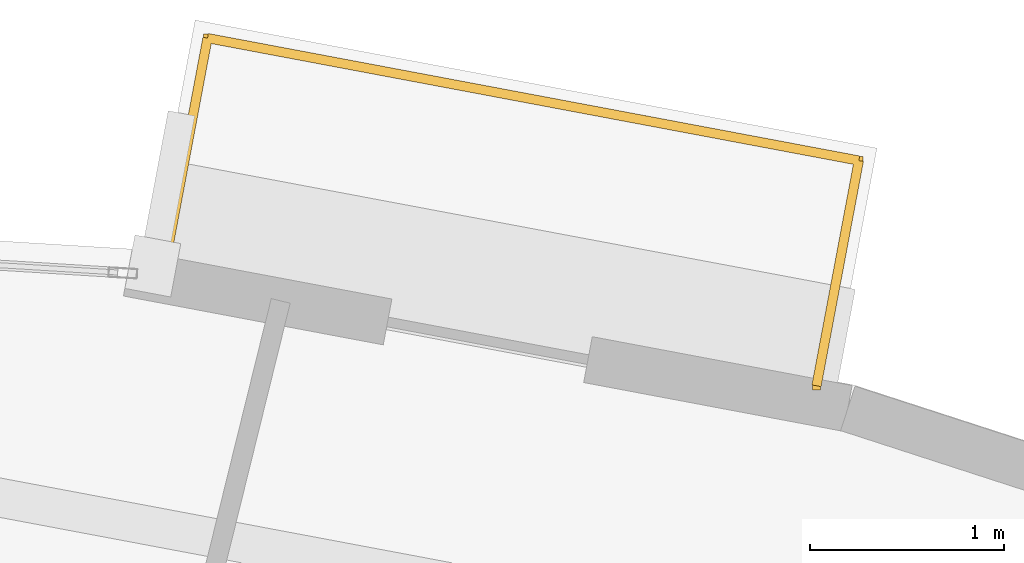
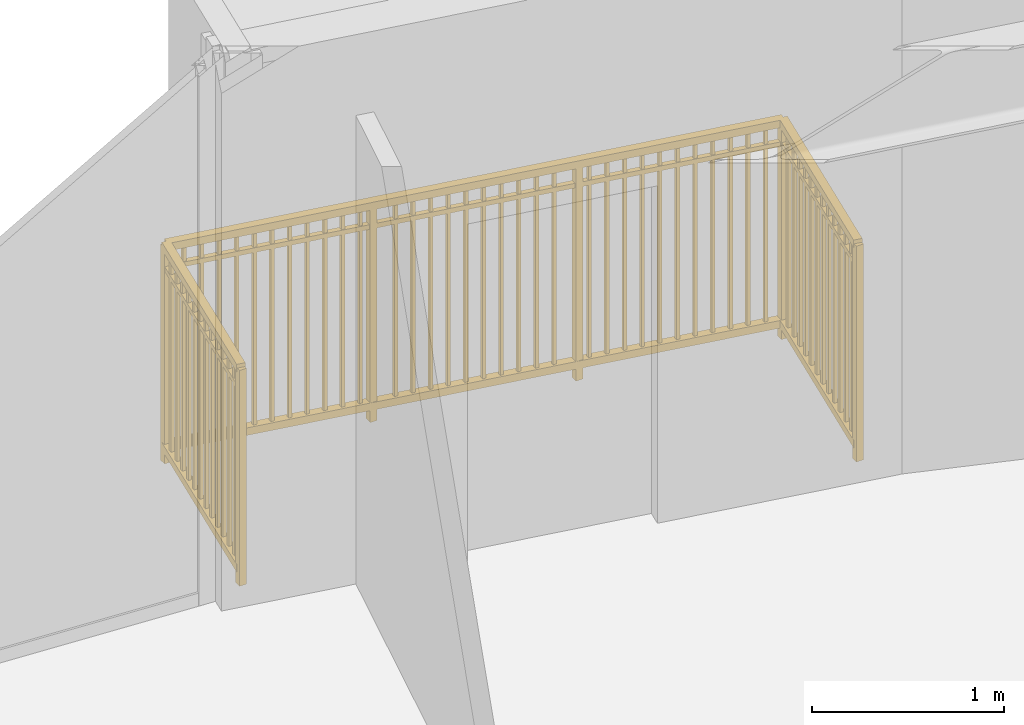
# One storey, part 18 of 18: 1 railing.
"""IFC4 building model written with IfcOpenShell, lengths in metres."""

from ifc_helpers import new_model, si_unit, direction, frame, origin, origin_2d, place, context, subcontext, project, spatial, rectangle, extrude, source, transform, mapped, material, type_object, element, save


model = new_model("IFC4")

# Units and contexts
model_context = context("Model", 3, precision=1e-05, world=origin(), true_north=direction((0.0, 1.0)))
body_context = subcontext(model_context, "Body", "Model", "MODEL_VIEW")
ifc_project = project(units=[si_unit("LENGTHUNIT", "METRE"), si_unit("AREAUNIT", "SQUARE_METRE"), si_unit("VOLUMEUNIT", "CUBIC_METRE"), si_unit("PLANEANGLEUNIT", "RADIAN"), si_unit("MASSUNIT", "GRAM", prefix="KILO")], contexts=[model_context])

# Site, building, storey
site_placement = place(None, origin())
site = spatial("IfcSite", under=ifc_project, at=site_placement, CompositionType="ELEMENT")
building_placement = place(site_placement, origin())
building = spatial("IfcBuilding", under=site, at=building_placement, Name="Linh Dai School and Residence Tower", CompositionType="ELEMENT")
storey_placement = place(building_placement, frame((0.0, 0.0, 240.300048828125)))
storey = spatial("IfcBuildingStorey", under=building, at=storey_placement, Name="L59", CompositionType="ELEMENT", Elevation=240.300048828125)

# Railing
ifc_material = material(Name="Structural Steel S355JR", Category="steel")
railing_type = type_object("IfcRailingType", Name="RL-BAL-1400", PredefinedType="BALUSTRADE", material=ifc_material)
shared_shape = source(origin(), body_context, "Body", "SweptSolid", [
    extrude(rectangle(XDim=0.048095703125, YDim=0.048095703125, at=origin_2d()), frame((0.0, 0.0, 1.3759765625), z_axis=(0.184725654166, 0.982790126473, 0.0), x_axis=(-0.982790126473, 0.184725654166, 0.0)), (0.0, 0.0, 1.0), 1.18017578125),
    extrude(rectangle(XDim=0.048095703125, YDim=0.048095703125, at=origin_2d()), frame((0.0, 0.0, 0.10009765625), z_axis=(0.184725654166, 0.982790126473, 0.0), x_axis=(-0.982790126473, 0.184725654166, 0.0)), (0.0, 0.0, 1.0), 1.18017578125),
    extrude(rectangle(XDim=0.030029296875, YDim=0.030029296875, at=origin_2d()), frame((0.0, 0.0, 1.239990234375), z_axis=(0.184725654166, 0.982790126473, 0.0), x_axis=(-0.982790126473, 0.184725654166, 0.0)), (0.0, 0.0, 1.0), 1.18017578125),
    extrude(rectangle(XDim=0.02001953125, YDim=0.02001953125, at=origin_2d()), frame((0.016845703125, 0.089111328125, 0.10009765625)), (0.0, 0.0, 1.0), 1.251708984375),
    extrude(rectangle(XDim=0.02001953125, YDim=0.02001953125, at=origin_2d()), frame((0.033447265625, 0.178466796875, 0.10009765625)), (0.0, 0.0, 1.0), 1.251708984375),
    extrude(rectangle(XDim=0.02001953125, YDim=0.02001953125, at=origin_2d()), frame((0.05029296875, 0.267578125, 0.10009765625)), (0.0, 0.0, 1.0), 1.251708984375),
    extrude(rectangle(XDim=0.02001953125, YDim=0.02001953125, at=origin_2d()), frame((0.067138671875, 0.35693359375, 0.10009765625)), (0.0, 0.0, 1.0), 1.251708984375),
    extrude(rectangle(XDim=0.02001953125, YDim=0.02001953125, at=origin_2d()), frame((0.083740234375, 0.446044921875, 0.10009765625)), (0.0, 0.0, 1.0), 1.251708984375),
    extrude(rectangle(XDim=0.02001953125, YDim=0.02001953125, at=origin_2d()), frame((0.1005859375, 0.535400390625, 0.10009765625)), (0.0, 0.0, 1.0), 1.251708984375),
    extrude(rectangle(XDim=0.02001953125, YDim=0.02001953125, at=origin_2d()), frame((0.117431640625, 0.62451171875, 0.10009765625)), (0.0, 0.0, 1.0), 1.251708984375),
    extrude(rectangle(XDim=0.02001953125, YDim=0.02001953125, at=origin_2d()), frame((0.13427734375, 0.7138671875, 0.10009765625)), (0.0, 0.0, 1.0), 1.251708984375),
    extrude(rectangle(XDim=0.02001953125, YDim=0.02001953125, at=origin_2d()), frame((0.15087890625, 0.802978515625, 0.10009765625)), (0.0, 0.0, 1.0), 1.251708984375),
    extrude(rectangle(XDim=0.02001953125, YDim=0.02001953125, at=origin_2d()), frame((0.167724609375, 0.892333984375, 0.10009765625)), (0.0, 0.0, 1.0), 1.251708984375),
    extrude(rectangle(XDim=0.02001953125, YDim=0.02001953125, at=origin_2d()), frame((0.1845703125, 0.9814453125, 0.10009765625)), (0.0, 0.0, 1.0), 1.251708984375),
    extrude(rectangle(XDim=0.02001953125, YDim=0.02001953125, at=origin_2d()), frame((0.201171875, 1.07080078125, 0.10009765625)), (0.0, 0.0, 1.0), 1.251708984375),
    extrude(rectangle(XDim=0.048095703125, YDim=0.048095703125, at=origin_2d()), frame((0.218017578125, 1.159912109375, 1.3759765625), z_axis=(0.982777297131, -0.184793896665, 0.0), x_axis=(0.184793896665, 0.982777297131, 0.0)), (0.0, 0.0, 1.0), 3.41259765625),
    extrude(rectangle(XDim=0.048095703125, YDim=0.048095703125, at=origin_2d()), frame((0.218017578125, 1.159912109375, 0.10009765625), z_axis=(0.982777297131, -0.184793896665, 0.0), x_axis=(0.184793896665, 0.982777297131, 0.0)), (0.0, 0.0, 1.0), 3.41259765625),
    extrude(rectangle(XDim=0.030029296875, YDim=0.030029296875, at=origin_2d()), frame((0.218017578125, 1.159912109375, 1.239990234375), z_axis=(0.982777297131, -0.184793896665, 0.0), x_axis=(0.184793896665, 0.982777297131, 0.0)), (0.0, 0.0, 1.0), 3.41259765625),
    extrude(rectangle(XDim=0.02001953125, YDim=0.02001953125, at=origin_2d()), frame((0.313720703125, 1.141845703125, 0.10009765625)), (0.0, 0.0, 1.0), 1.251708984375),
    extrude(rectangle(XDim=0.02001953125, YDim=0.02001953125, at=origin_2d()), frame((0.40966796875, 1.123779296875, 0.10009765625)), (0.0, 0.0, 1.0), 1.251708984375),
    extrude(rectangle(XDim=0.02001953125, YDim=0.02001953125, at=origin_2d()), frame((0.50537109375, 1.10595703125, 0.10009765625)), (0.0, 0.0, 1.0), 1.251708984375),
    extrude(rectangle(XDim=0.02001953125, YDim=0.02001953125, at=origin_2d()), frame((0.601318359375, 1.087890625, 0.10009765625)), (0.0, 0.0, 1.0), 1.251708984375),
    extrude(rectangle(XDim=0.02001953125, YDim=0.02001953125, at=origin_2d()), frame((0.697021484375, 1.06982421875, 0.10009765625)), (0.0, 0.0, 1.0), 1.251708984375),
    extrude(rectangle(XDim=0.02001953125, YDim=0.02001953125, at=origin_2d()), frame((0.79296875, 1.0517578125, 0.10009765625)), (0.0, 0.0, 1.0), 1.251708984375),
    extrude(rectangle(XDim=0.02001953125, YDim=0.02001953125, at=origin_2d()), frame((0.888671875, 1.03369140625, 0.10009765625)), (0.0, 0.0, 1.0), 1.251708984375),
    extrude(rectangle(XDim=0.02001953125, YDim=0.02001953125, at=origin_2d()), frame((0.984619140625, 1.015869140625, 0.10009765625)), (0.0, 0.0, 1.0), 1.251708984375),
    extrude(rectangle(XDim=0.02001953125, YDim=0.02001953125, at=origin_2d()), frame((1.080322265625, 0.997802734375, 0.10009765625)), (0.0, 0.0, 1.0), 1.251708984375),
    extrude(rectangle(XDim=0.02001953125, YDim=0.02001953125, at=origin_2d()), frame((1.17626953125, 0.979736328125, 0.10009765625)), (0.0, 0.0, 1.0), 1.251708984375),
    extrude(rectangle(XDim=0.02001953125, YDim=0.02001953125, at=origin_2d()), frame((1.27197265625, 0.961669921875, 0.10009765625)), (0.0, 0.0, 1.0), 1.251708984375),
    extrude(rectangle(XDim=0.02001953125, YDim=0.02001953125, at=origin_2d()), frame((1.463623046875, 0.92578125, 0.10009765625)), (0.0, 0.0, 1.0), 1.251708984375),
    extrude(rectangle(XDim=0.02001953125, YDim=0.02001953125, at=origin_2d()), frame((1.5595703125, 0.90771484375, 0.10009765625)), (0.0, 0.0, 1.0), 1.251708984375),
    extrude(rectangle(XDim=0.02001953125, YDim=0.02001953125, at=origin_2d()), frame((1.6552734375, 0.8896484375, 0.10009765625)), (0.0, 0.0, 1.0), 1.251708984375),
    extrude(rectangle(XDim=0.02001953125, YDim=0.02001953125, at=origin_2d()), frame((1.751220703125, 0.87158203125, 0.10009765625)), (0.0, 0.0, 1.0), 1.251708984375),
    extrude(rectangle(XDim=0.02001953125, YDim=0.02001953125, at=origin_2d()), frame((1.846923828125, 0.853515625, 0.10009765625)), (0.0, 0.0, 1.0), 1.251708984375),
    extrude(rectangle(XDim=0.02001953125, YDim=0.02001953125, at=origin_2d()), frame((1.94287109375, 0.835693359375, 0.10009765625)), (0.0, 0.0, 1.0), 1.251708984375),
    extrude(rectangle(XDim=0.02001953125, YDim=0.02001953125, at=origin_2d()), frame((2.03857421875, 0.817626953125, 0.10009765625)), (0.0, 0.0, 1.0), 1.251708984375),
    extrude(rectangle(XDim=0.02001953125, YDim=0.02001953125, at=origin_2d()), frame((2.134521484375, 0.799560546875, 0.10009765625)), (0.0, 0.0, 1.0), 1.251708984375),
    extrude(rectangle(XDim=0.02001953125, YDim=0.02001953125, at=origin_2d()), frame((2.230224609375, 0.781494140625, 0.10009765625)), (0.0, 0.0, 1.0), 1.251708984375),
    extrude(rectangle(XDim=0.02001953125, YDim=0.02001953125, at=origin_2d()), frame((2.326171875, 0.763427734375, 0.10009765625)), (0.0, 0.0, 1.0), 1.251708984375),
    extrude(rectangle(XDim=0.02001953125, YDim=0.02001953125, at=origin_2d()), frame((2.517822265625, 0.7275390625, 0.10009765625)), (0.0, 0.0, 1.0), 1.251708984375),
    extrude(rectangle(XDim=0.02001953125, YDim=0.02001953125, at=origin_2d()), frame((2.613525390625, 0.70947265625, 0.10009765625)), (0.0, 0.0, 1.0), 1.251708984375),
    extrude(rectangle(XDim=0.02001953125, YDim=0.02001953125, at=origin_2d()), frame((2.70947265625, 0.69140625, 0.10009765625)), (0.0, 0.0, 1.0), 1.251708984375),
    extrude(rectangle(XDim=0.02001953125, YDim=0.02001953125, at=origin_2d()), frame((2.80517578125, 0.67333984375, 0.10009765625)), (0.0, 0.0, 1.0), 1.251708984375),
    extrude(rectangle(XDim=0.02001953125, YDim=0.02001953125, at=origin_2d()), frame((2.901123046875, 0.655517578125, 0.10009765625)), (0.0, 0.0, 1.0), 1.251708984375),
    extrude(rectangle(XDim=0.02001953125, YDim=0.02001953125, at=origin_2d()), frame((2.996826171875, 0.637451171875, 0.10009765625)), (0.0, 0.0, 1.0), 1.251708984375),
    extrude(rectangle(XDim=0.02001953125, YDim=0.02001953125, at=origin_2d()), frame((3.0927734375, 0.619384765625, 0.10009765625)), (0.0, 0.0, 1.0), 1.251708984375),
    extrude(rectangle(XDim=0.02001953125, YDim=0.02001953125, at=origin_2d()), frame((3.1884765625, 0.601318359375, 0.10009765625)), (0.0, 0.0, 1.0), 1.251708984375),
    extrude(rectangle(XDim=0.02001953125, YDim=0.02001953125, at=origin_2d()), frame((3.284423828125, 0.583251953125, 0.10009765625)), (0.0, 0.0, 1.0), 1.251708984375),
    extrude(rectangle(XDim=0.02001953125, YDim=0.02001953125, at=origin_2d()), frame((3.380126953125, 0.5654296875, 0.10009765625)), (0.0, 0.0, 1.0), 1.251708984375),
    extrude(rectangle(XDim=0.02001953125, YDim=0.02001953125, at=origin_2d()), frame((3.47607421875, 0.54736328125, 0.10009765625)), (0.0, 0.0, 1.0), 1.251708984375),
    extrude(rectangle(XDim=0.048095703125, YDim=0.048095703125, at=origin_2d()), frame((3.57177734375, 0.529296875, 1.3759765625), z_axis=(-0.18476321632, -0.982783065531, 0.0), x_axis=(0.982783065531, -0.18476321632, 0.0)), (0.0, 0.0, 1.0), 1.179931640625),
    extrude(rectangle(XDim=0.048095703125, YDim=0.048095703125, at=origin_2d()), frame((3.57177734375, 0.529296875, 0.10009765625), z_axis=(-0.18476321632, -0.982783065531, 0.0), x_axis=(0.982783065531, -0.18476321632, 0.0)), (0.0, 0.0, 1.0), 1.179931640625),
    extrude(rectangle(XDim=0.030029296875, YDim=0.030029296875, at=origin_2d()), frame((3.57177734375, 0.529296875, 1.239990234375), z_axis=(-0.18476321632, -0.982783065531, 0.0), x_axis=(0.982783065531, -0.18476321632, 0.0)), (0.0, 0.0, 1.0), 1.179931640625),
    extrude(rectangle(XDim=0.02001953125, YDim=0.02001953125, at=origin_2d()), frame((3.554931640625, 0.440185546875, 0.10009765625)), (0.0, 0.0, 1.0), 1.251708984375),
    extrude(rectangle(XDim=0.02001953125, YDim=0.02001953125, at=origin_2d()), frame((3.538330078125, 0.350830078125, 0.10009765625)), (0.0, 0.0, 1.0), 1.251708984375),
    extrude(rectangle(XDim=0.02001953125, YDim=0.02001953125, at=origin_2d()), frame((3.521484375, 0.26171875, 0.10009765625)), (0.0, 0.0, 1.0), 1.251708984375),
    extrude(rectangle(XDim=0.02001953125, YDim=0.02001953125, at=origin_2d()), frame((3.504638671875, 0.17236328125, 0.10009765625)), (0.0, 0.0, 1.0), 1.251708984375),
    extrude(rectangle(XDim=0.02001953125, YDim=0.02001953125, at=origin_2d()), frame((3.488037109375, 0.083251953125, 0.10009765625)), (0.0, 0.0, 1.0), 1.251708984375),
    extrude(rectangle(XDim=0.02001953125, YDim=0.02001953125, at=origin_2d()), frame((3.47119140625, -0.005859375, 0.10009765625)), (0.0, 0.0, 1.0), 1.251708984375),
    extrude(rectangle(XDim=0.02001953125, YDim=0.02001953125, at=origin_2d()), frame((3.454345703125, -0.09521484375, 0.10009765625)), (0.0, 0.0, 1.0), 1.251708984375),
    extrude(rectangle(XDim=0.02001953125, YDim=0.02001953125, at=origin_2d()), frame((3.4375, -0.184326171875, 0.10009765625)), (0.0, 0.0, 1.0), 1.251708984375),
    extrude(rectangle(XDim=0.02001953125, YDim=0.02001953125, at=origin_2d()), frame((3.4208984375, -0.2734375, 0.10009765625)), (0.0, 0.0, 1.0), 1.251708984375),
    extrude(rectangle(XDim=0.02001953125, YDim=0.02001953125, at=origin_2d()), frame((3.404052734375, -0.36279296875, 0.10009765625)), (0.0, 0.0, 1.0), 1.251708984375),
    extrude(rectangle(XDim=0.02001953125, YDim=0.02001953125, at=origin_2d()), frame((3.38720703125, -0.451904296875, 0.10009765625)), (0.0, 0.0, 1.0), 1.251708984375),
    extrude(rectangle(XDim=0.02001953125, YDim=0.02001953125, at=origin_2d()), frame((3.37060546875, -0.541259765625, 0.10009765625)), (0.0, 0.0, 1.0), 1.251708984375),
    extrude(rectangle(XDim=0.0419921875, YDim=0.0419921875, at=origin_2d()), origin(), (0.0, 0.0, 1.0), 1.3759765625),
    extrude(rectangle(XDim=0.0419921875, YDim=0.0419921875, at=origin_2d()), frame((0.218017578125, 1.159912109375, 0.0)), (0.0, 0.0, 1.0), 1.3759765625),
    extrude(rectangle(XDim=0.0419921875, YDim=0.0419921875, at=origin_2d()), frame((1.3359375, 0.94970703125, 0.0)), (0.0, 0.0, 1.0), 1.3759765625),
    extrude(rectangle(XDim=0.0419921875, YDim=0.0419921875, at=origin_2d()), frame((2.453857421875, 0.739501953125, 0.0)), (0.0, 0.0, 1.0), 1.3759765625),
    extrude(rectangle(XDim=0.0419921875, YDim=0.0419921875, at=origin_2d()), frame((3.57177734375, 0.529296875, 0.0)), (0.0, 0.0, 1.0), 1.3759765625),
    extrude(rectangle(XDim=0.0419921875, YDim=0.0419921875, at=origin_2d()), frame((3.353759765625, -0.63037109375, 0.0)), (0.0, 0.0, 1.0), 1.3759765625),
])
railing_placement = place(storey_placement, frame((39.994140625, 45.7958984375, 0.0)))
element("IfcRailing", 1, at=railing_placement, inside=storey, type_object=railing_type, Name="L59 Balcony Safety Balustrade 09", PredefinedType="BALUSTRADE", context=body_context, shape_type="MappedRepresentation", body=[
    mapped(shared_shape, transform((0.0, 0.0, 0.0), x_axis=(1.0, 0.0, 0.0), y_axis=(0.0, 1.0, 0.0), z_axis=(0.0, 0.0, 1.0), scale=1.0)),
])

save(model, "model.ifc")
